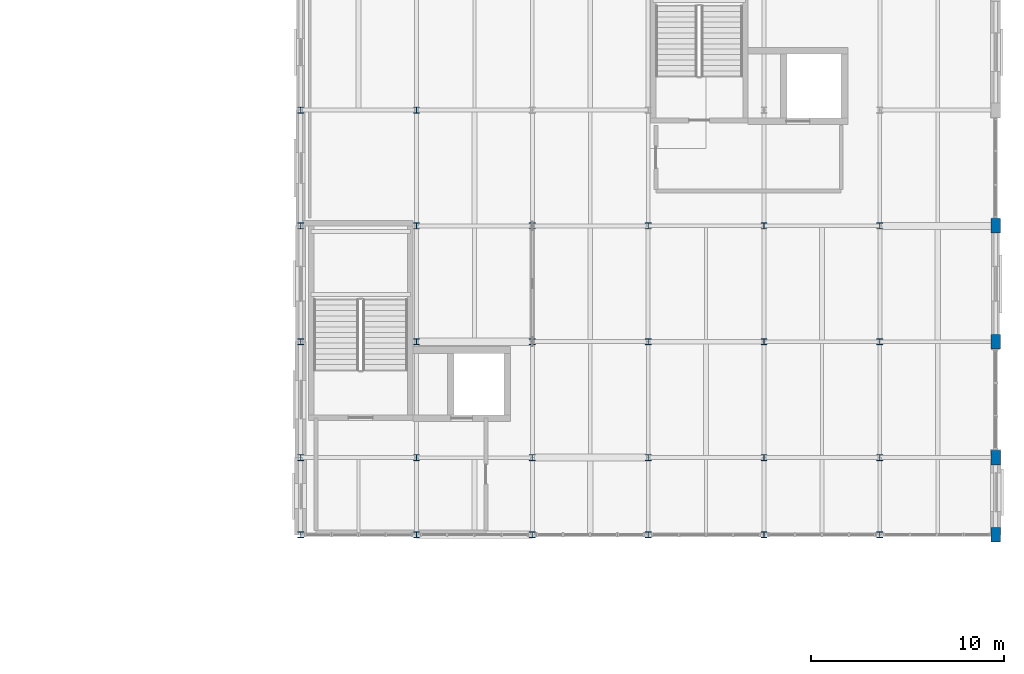
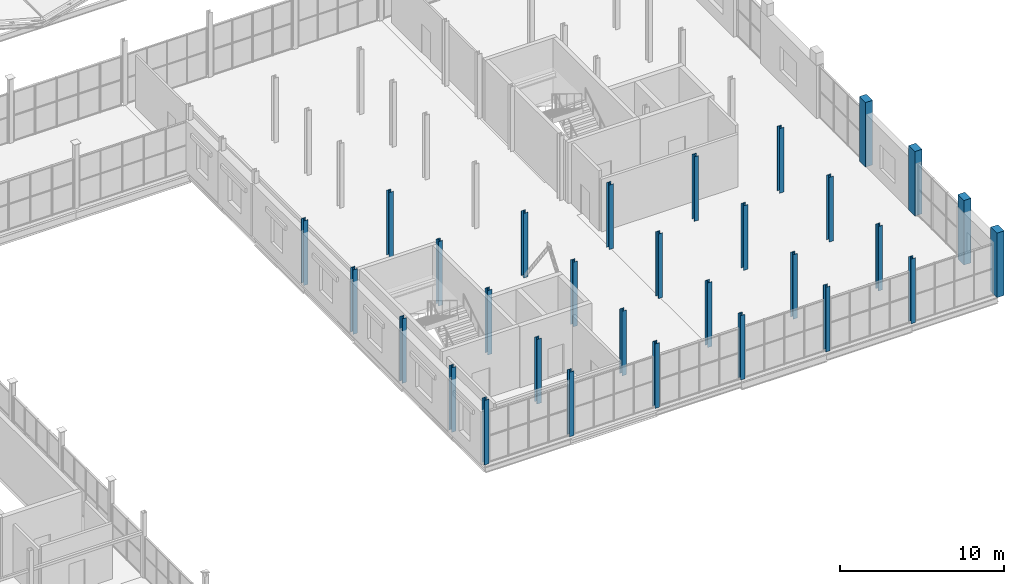
# One storey, part 10 of 114: 30 columns.
"""IFC4 building model written with IfcOpenShell, lengths in metres."""

from ifc_helpers import new_model, si_unit, direction, frame, origin, origin_2d, place, context, subcontext, project, spatial, rectangle, i_section, extrude, material, material_profile, profile_set, type_object, element, save


model = new_model("IFC4")

# Units and contexts
model_context = context("Model", 3, precision=1e-05, world=origin(), true_north=direction((0.0, 1.0)))
body_context = subcontext(model_context, "Body", "Model", "MODEL_VIEW")
ifc_project = project(units=[si_unit("LENGTHUNIT", "METRE"), si_unit("AREAUNIT", "SQUARE_METRE"), si_unit("VOLUMEUNIT", "CUBIC_METRE"), si_unit("PLANEANGLEUNIT", "RADIAN"), si_unit("MASSUNIT", "GRAM", prefix="KILO")], contexts=[model_context])

# Site, building, storey
site_placement = place(None, origin())
site = spatial("IfcSite", under=ifc_project, at=site_placement, CompositionType="ELEMENT")
building_placement = place(site_placement, origin())
building = spatial("IfcBuilding", under=site, at=building_placement, Name="Verrall Gate Interchange", CompositionType="ELEMENT")
storey_placement = place(building_placement, frame((0.0, 0.0, 6.60009765625)))
storey = spatial("IfcBuildingStorey", under=building, at=storey_placement, Name="L02", CompositionType="ELEMENT", Elevation=6.60009765625)

# Columns
ifc_material_1 = material(Name="Concrete CSA A23.1 40 MPa (Class C-1)", Category="concrete")
ifc_material_profile_1 = material_profile(ifc_material_1, rectangle(XDim=0.5, YDim=0.75, at=origin_2d()), Name="RC500x750")
ifc_profile_set_1 = profile_set([ifc_material_profile_1], Name="Concrete CSA A23.1 40 MPa (Class C-1)")
column_type_1 = type_object("IfcColumnType", Name="C-05 Pilaster RC500x750", PredefinedType="PILASTER", material=ifc_profile_set_1)
for number, where, z_axis, x_axis, name in (
    (1, (168.0, 12.0, 0.0), (0.0, 0.0, 1.0), (1.0, 0.0, 0.0), "L02 Column COL-L02-1471 (C-05)"),
    (2, (168.0, 16.0, 0.0), (0.0, 0.0, 1.0), (1.0, 0.0, 0.0), "L02 Column COL-L02-1476 (C-05)"),
    (3, (168.0, 22.0, 0.0), (0.0, 0.0, 1.0), (1.0, 0.0, 0.0), "L02 Column COL-L02-1481 (C-05)"),
    (4, (168.0, 28.0, 0.0), (0.0, 0.0, 1.0), (1.0, 0.0, 0.0), "L02 Column COL-L02-1486 (C-05)"),
):
    element("IfcColumn", number, at=place(storey_placement, frame(where, z_axis=z_axis, x_axis=x_axis)), inside=storey, type_object=column_type_1, Name=name, PredefinedType="PILASTER", context=body_context, shape_type="SweptSolid", body=[
        extrude(rectangle(XDim=0.5, YDim=0.75, at=origin_2d()), origin(), (0.0, 0.0, 1.0), 4.7998046875),
    ])
ifc_material_2 = material(Name="Structural Steel CSA G40.21 350W", Category="steel")
ifc_material_profile_2 = material_profile(ifc_material_2, i_section(OverallWidth=0.306884765625, OverallDepth=0.31396484375, WebThickness=0.011962890625, FlangeThickness=0.018798828125, FilletRadius=0.013916015625, at=origin_2d()), Name="W310x118")
ifc_profile_set_2 = profile_set([ifc_material_profile_2], Name="Structural Steel CSA G40.21 350W")
column_type_2 = type_object("IfcColumnType", Name="C-09 Column W310x118", PredefinedType="COLUMN", material=ifc_profile_set_2)
for number, where, z_axis, x_axis, name in (
    (5, (132.0, 12.0, 0.0), (0.0, 0.0, 1.0), (1.0, 0.0, 0.0), "L02 Column COL-L02-1213 (C-09)"),
    (6, (132.0, 16.0, 0.0), (0.0, 0.0, 1.0), (1.0, 0.0, 0.0), "L02 Column COL-L02-1218 (C-09)"),
    (7, (132.0, 22.0, 0.0), (0.0, 0.0, 1.0), (1.0, 0.0, 0.0), "L02 Column COL-L02-1223 (C-09)"),
    (8, (132.0, 28.0, 0.0), (0.0, 0.0, 1.0), (1.0, 0.0, 0.0), "L02 Column COL-L02-1228 (C-09)"),
    (9, (132.0, 34.0, 0.0), (0.0, 0.0, 1.0), (1.0, 0.0, 0.0), "L02 Column COL-L02-1233 (C-09)"),
    (10, (138.0, 12.0, 0.0), (0.0, 0.0, 1.0), (1.0, 0.0, 0.0), "L02 Column COL-L02-1256 (C-09)"),
    (11, (138.0, 16.0, 0.0), (0.0, 0.0, 1.0), (1.0, 0.0, 0.0), "L02 Column COL-L02-1261 (C-09)"),
    (12, (138.0, 22.0, 0.0), (0.0, 0.0, 1.0), (1.0, 0.0, 0.0), "L02 Column COL-L02-1266 (C-09)"),
    (13, (138.0, 28.0, 0.0), (0.0, 0.0, 1.0), (1.0, 0.0, 0.0), "L02 Column COL-L02-1271 (C-09)"),
    (14, (138.0, 34.0, 0.0), (0.0, 0.0, 1.0), (1.0, 0.0, 0.0), "L02 Column COL-L02-1276 (C-09)"),
    (15, (144.0, 12.0, 0.0), (0.0, 0.0, 1.0), (1.0, 0.0, 0.0), "L02 Column COL-L02-1299 (C-09)"),
    (16, (144.0, 16.0, 0.0), (0.0, 0.0, 1.0), (1.0, 0.0, 0.0), "L02 Column COL-L02-1304 (C-09)"),
    (17, (144.0, 22.0, 0.0), (0.0, 0.0, 1.0), (1.0, 0.0, 0.0), "L02 Column COL-L02-1309 (C-09)"),
    (18, (144.0, 28.0, 0.0), (0.0, 0.0, 1.0), (1.0, 0.0, 0.0), "L02 Column COL-L02-1314 (C-09)"),
    (19, (150.0, 12.0, 0.0), (0.0, 0.0, 1.0), (1.0, 0.0, 0.0), "L02 Column COL-L02-1342 (C-09)"),
    (20, (150.0, 16.0, 0.0), (0.0, 0.0, 1.0), (1.0, 0.0, 0.0), "L02 Column COL-L02-1347 (C-09)"),
    (21, (150.0, 22.0, 0.0), (0.0, 0.0, 1.0), (1.0, 0.0, 0.0), "L02 Column COL-L02-1352 (C-09)"),
    (22, (150.0, 28.0, 0.0), (0.0, 0.0, 1.0), (1.0, 0.0, 0.0), "L02 Column COL-L02-1357 (C-09)"),
    (23, (156.0, 12.0, 0.0), (0.0, 0.0, 1.0), (1.0, 0.0, 0.0), "L02 Column COL-L02-1385 (C-09)"),
    (24, (156.0, 16.0, 0.0), (0.0, 0.0, 1.0), (1.0, 0.0, 0.0), "L02 Column COL-L02-1390 (C-09)"),
    (25, (156.0, 22.0, 0.0), (0.0, 0.0, 1.0), (1.0, 0.0, 0.0), "L02 Column COL-L02-1395 (C-09)"),
    (26, (156.0, 28.0, 0.0), (0.0, 0.0, 1.0), (1.0, 0.0, 0.0), "L02 Column COL-L02-1400 (C-09)"),
    (27, (162.0, 12.0, 0.0), (0.0, 0.0, 1.0), (1.0, 0.0, 0.0), "L02 Column COL-L02-1428 (C-09)"),
    (28, (162.0, 16.0, 0.0), (0.0, 0.0, 1.0), (1.0, 0.0, 0.0), "L02 Column COL-L02-1433 (C-09)"),
    (29, (162.0, 22.0, 0.0), (0.0, 0.0, 1.0), (1.0, 0.0, 0.0), "L02 Column COL-L02-1438 (C-09)"),
    (30, (162.0, 28.0, 0.0), (0.0, 0.0, 1.0), (1.0, 0.0, 0.0), "L02 Column COL-L02-1443 (C-09)"),
):
    element("IfcColumn", number, at=place(storey_placement, frame(where, z_axis=z_axis, x_axis=x_axis)), inside=storey, type_object=column_type_2, Name=name, PredefinedType="COLUMN", context=body_context, shape_type="SweptSolid", body=[
        extrude(i_section(OverallWidth=0.306884765625, OverallDepth=0.31396484375, WebThickness=0.011962890625, FlangeThickness=0.018798828125, FilletRadius=0.013916015625, at=origin_2d()), origin(), (0.0, 0.0, 1.0), 4.7998046875),
    ])

save(model, "model.ifc")
